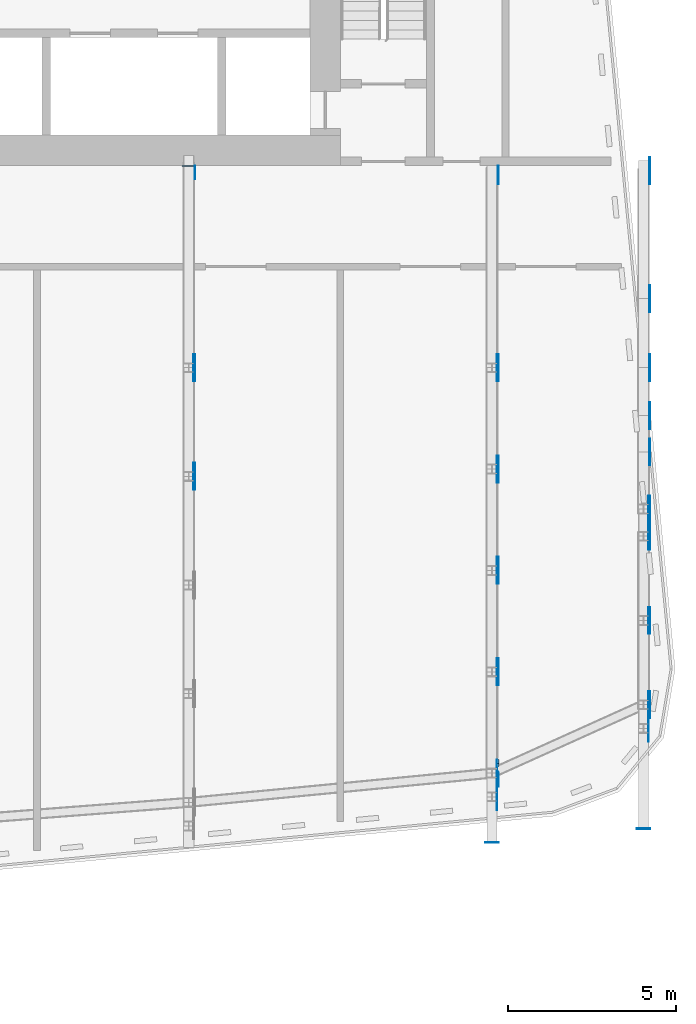
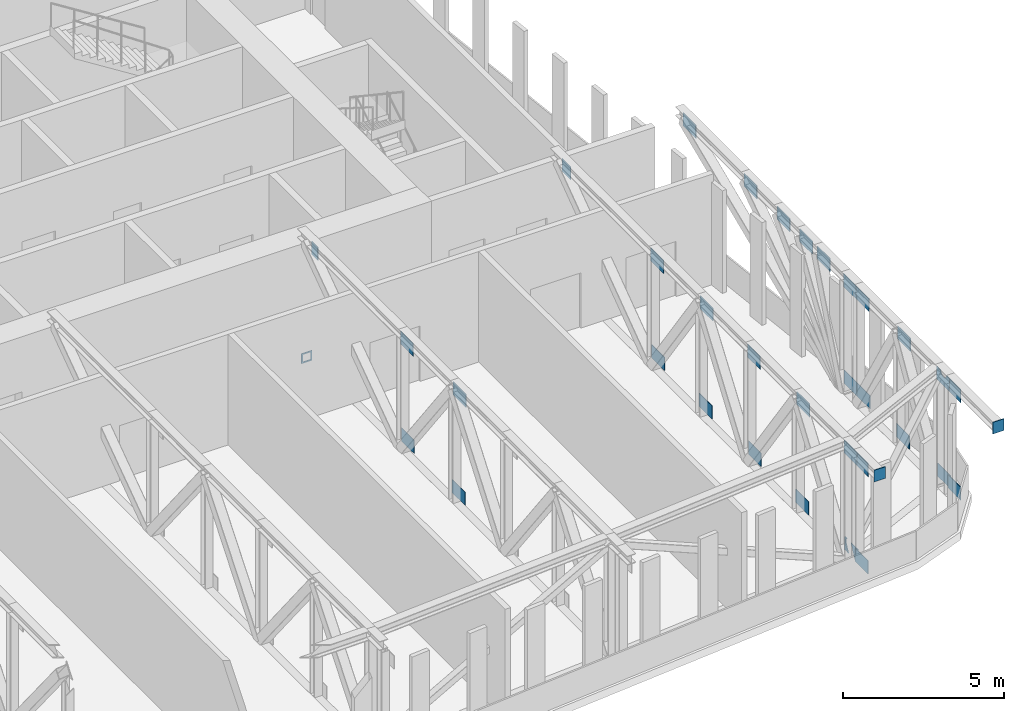
# One storey, part 20 of 26: 37 discrete accessories.
"""IFC4 building model written with IfcOpenShell, lengths in metres."""

from ifc_helpers import new_model, si_unit, direction, frame, origin, place, context, subcontext, project, spatial, polyline, outline, extrude, material, layer, layer_set, type_object, element, save


model = new_model("IFC4")

# Units and contexts
model_context = context("Model", 3, precision=1e-05, world=origin(), true_north=direction((0.0, 1.0)))
body_context = subcontext(model_context, "Body", "Model", "MODEL_VIEW")
ifc_project = project(units=[si_unit("LENGTHUNIT", "METRE"), si_unit("AREAUNIT", "SQUARE_METRE"), si_unit("VOLUMEUNIT", "CUBIC_METRE"), si_unit("PLANEANGLEUNIT", "RADIAN"), si_unit("MASSUNIT", "GRAM", prefix="KILO")], contexts=[model_context])

# Site, building, storey
site_placement = place(None, origin())
site = spatial("IfcSite", under=ifc_project, at=site_placement, CompositionType="ELEMENT")
building_placement = place(site_placement, origin())
building = spatial("IfcBuilding", under=site, at=building_placement, Name="Kajstack Hotel Tower", CompositionType="ELEMENT")
storey_placement = place(building_placement, frame((0.0, 0.0, 206.5)))
storey = spatial("IfcBuildingStorey", under=building, at=storey_placement, Name="L50", CompositionType="ELEMENT", Elevation=206.5)

# Discrete accessories
ifc_material = material(Name="Steel S355J2", Category="steel")
ifc_layer_1 = layer(ifc_material, 0.02490234375)
ifc_layer_set_1 = layer_set([ifc_layer_1], Name="CAST-IN PLATE")
discrete_accessory_type_1 = type_object("IfcDiscreteAccessoryType", Name="CAST-IN PLATE", PredefinedType="BRACKET", material=ifc_layer_set_1)
discrete_accessory_1_placement = place(storey_placement, frame((27.0, 1.47509765625, -0.139892578125), z_axis=(0.0, 1.0, 0.0), x_axis=(-1.0, 0.0, 0.0)))
element("IfcDiscreteAccessory", 1, at=discrete_accessory_1_placement, inside=storey, type_object=discrete_accessory_type_1, Name="Cast-in plate L50-020", PredefinedType="BRACKET", context=body_context, shape_type="SweptSolid", body=[
    extrude(outline(polyline([(-0.18994140625, -0.18994140625), (0.18994140625, -0.18994140625), (0.18994140625, 0.18994140625), (-0.18994140625, 0.18994140625), (-0.18994140625, -0.18994140625)]), holes=[polyline([(-0.139892578125, -0.139892578125), (-0.139892578125, 0.139892578125), (0.139892578125, 0.139892578125), (0.139892578125, -0.139892578125), (-0.139892578125, -0.139892578125)])]), origin(), (0.0, 0.0, 1.0), 0.02490234375),
])
ifc_layer_2 = layer(ifc_material, 0.02490234375)
ifc_layer_set_2 = layer_set([ifc_layer_2], Name="END PLATE")
discrete_accessory_type_2 = type_object("IfcDiscreteAccessoryType", Name="END PLATE", PredefinedType="BRACKET", material=ifc_layer_set_2)
discrete_accessory_2_placement = place(storey_placement, frame((36.0, -18.60205078125, 4.429931640625), z_axis=(0.0, 1.0, 0.0), x_axis=(-1.0, 0.0, 0.0)))
element("IfcDiscreteAccessory", 2, at=discrete_accessory_2_placement, inside=storey, type_object=discrete_accessory_type_2, Name="End plate L50-002", PredefinedType="BRACKET", context=body_context, shape_type="SweptSolid", body=[
    extrude(outline(polyline([(-0.199951171875, -0.219970703125), (0.199951171875, -0.219970703125), (0.199951171875, 0.219970703125), (-0.199951171875, 0.219970703125), (-0.199951171875, -0.219970703125)])), origin(), (0.0, 0.0, 1.0), 0.025146484375),
])
discrete_accessory_3_placement = place(storey_placement, frame((40.5, -18.1962890625, 4.429931640625), z_axis=(0.0, 1.0, 0.0), x_axis=(-1.0, 0.0, 0.0)))
element("IfcDiscreteAccessory", 3, at=discrete_accessory_3_placement, inside=storey, type_object=discrete_accessory_type_2, Name="End plate L50-003", PredefinedType="BRACKET", context=body_context, shape_type="SweptSolid", body=[
    extrude(outline(polyline([(-0.199951171875, -0.219970703125), (0.199951171875, -0.219970703125), (0.199951171875, 0.219970703125), (-0.199951171875, 0.219970703125), (-0.199951171875, -0.219970703125)])), origin(), (0.0, 0.0, 1.0), 0.02490234375),
])
ifc_layer_3 = layer(ifc_material, 0.02001953125)
ifc_layer_set_3 = layer_set([ifc_layer_3], Name="GUSSET PLATE")
discrete_accessory_type_3 = type_object("IfcDiscreteAccessoryType", Name="GUSSET PLATE", PredefinedType="BRACKET", material=ifc_layer_set_3)
for number, where, z_axis, x_axis, name in (
    (4, (27.139892578125, -7.72509765625, 0.0), (1.0, 0.0, 0.0), (0.0, 1.0, 0.0), "Gusset plate L50-595"),
    (5, (27.175048828125, -7.72509765625, 3.699951171875), (1.0, 0.0, 0.0), (0.0, 1.0, 0.0), "Gusset plate L50-596"),
    (6, (27.175048828125, -4.5, 0.0), (1.0, 0.0, 0.0), (0.0, 1.0, 0.0), "Gusset plate L50-597"),
    (7, (27.139892578125, -4.5, 3.699951171875), (1.0, 0.0, 0.0), (0.0, 1.0, 0.0), "Gusset plate L50-598"),
):
    element("IfcDiscreteAccessory", number, at=place(storey_placement, frame(where, z_axis=z_axis, x_axis=x_axis)), inside=storey, type_object=discrete_accessory_type_3, Name=name, PredefinedType="BRACKET", context=body_context, shape_type="SweptSolid", body=[
        extrude(outline(polyline([(-0.39990234375, 0.0), (0.39990234375, 0.0), (0.39990234375, 0.5), (-0.39990234375, 0.5), (-0.39990234375, 0.0)])), origin(), (0.0, 0.0, 1.0), 0.02001953125),
    ])
discrete_accessory_4_placement = place(storey_placement, frame((27.175048828125, 1.5, 3.699951171875), z_axis=(1.0, 0.0, 0.0), x_axis=(0.0, 1.0, 0.0)))
element("IfcDiscreteAccessory", 8, at=discrete_accessory_4_placement, inside=storey, type_object=discrete_accessory_type_3, Name="Gusset plate L50-599", PredefinedType="BRACKET", context=body_context, shape_type="SweptSolid", body=[
    extrude(outline(polyline([(-0.39990234375, 0.0), (-0.0048828125, 0.0), (-0.0048828125, 0.5), (-0.39990234375, 0.5), (-0.39990234375, 0.0)])), origin(), (0.0, 0.0, 1.0), 0.02001953125),
])
for number, where, z_axis, x_axis, name in (
    (9, (36.139892578125, -17.234130859375, 0.0), (1.0, 0.0, 0.0), (0.0, 1.0, 0.0), "Gusset plate L50-600"),
    (10, (36.139892578125, -17.234130859375, 3.699951171875), (1.0, 0.0, 0.0), (0.0, 1.0, 0.0), "Gusset plate L50-601"),
):
    element("IfcDiscreteAccessory", number, at=place(storey_placement, frame(where, z_axis=z_axis, x_axis=x_axis)), inside=storey, type_object=discrete_accessory_type_3, Name=name, PredefinedType="BRACKET", context=body_context, shape_type="SweptSolid", body=[
        extrude(outline(polyline([(-0.39990234375, 0.0), (0.39990234375, 0.0), (0.39990234375, 0.5), (-0.39990234375, 0.5), (-0.39990234375, 0.0)])), origin(), (0.0, 0.0, 1.0), 0.02001953125),
    ])
discrete_accessory_5_placement = place(storey_placement, frame((36.175048828125, -16.5341796875, 0.0), z_axis=(1.0, 0.0, 0.0), x_axis=(0.0, 1.0, 0.0)))
element("IfcDiscreteAccessory", 11, at=discrete_accessory_5_placement, inside=storey, type_object=discrete_accessory_type_3, Name="Gusset plate L50-602", PredefinedType="BRACKET", context=body_context, shape_type="SweptSolid", body=[
    extrude(outline(polyline([(0.39990234375, 0.5), (0.298583984375, 0.5), (0.322998046875, 0.472900390625), (0.333251953125, 0.45751953125), (0.348876953125, 0.424560546875), (0.35400390625, 0.406982421875), (0.359375, 0.37060546875), (0.357421875, 0.333984375), (0.353759765625, 0.316162109375), (0.34130859375, 0.28173828125), (0.20703125, 0.0), (0.39990234375, 0.0), (0.39990234375, 0.5)])), origin(), (0.0, 0.0, 1.0), 0.02001953125),
])
discrete_accessory_6_placement = place(storey_placement, frame((36.175048828125, -16.5341796875, 0.0), z_axis=(1.0, 0.0, 0.0), x_axis=(0.0, 1.0, 0.0)))
element("IfcDiscreteAccessory", 12, at=discrete_accessory_6_placement, inside=storey, type_object=discrete_accessory_type_3, Name="Gusset plate L50-603", PredefinedType="BRACKET", context=body_context, shape_type="SweptSolid", body=[
    extrude(outline(polyline([(-0.39990234375, 0.0), (-0.19189453125, 0.0), (-0.1904296875, 0.01611328125), (-0.18017578125, 0.059326171875), (-0.166259765625, 0.09326171875), (-0.151123046875, 0.11669921875), (0.004150390625, 0.4423828125), (0.02294921875, 0.473876953125), (0.046875, 0.5), (-0.39990234375, 0.5), (-0.39990234375, 0.0)])), origin(), (0.0, 0.0, 1.0), 0.02001953125),
])
for number, where, z_axis, x_axis, name in (
    (13, (36.139892578125, -16.5341796875, 3.699951171875), (1.0, 0.0, 0.0), (0.0, 1.0, 0.0), "Gusset plate L50-604"),
    (14, (36.139892578125, -13.525634765625, 0.0), (1.0, 0.0, 0.0), (0.0, 1.0, 0.0), "Gusset plate L50-605"),
    (15, (36.175048828125, -13.525634765625, 3.699951171875), (1.0, 0.0, 0.0), (0.0, 1.0, 0.0), "Gusset plate L50-606"),
    (16, (36.175048828125, -10.51708984375, 0.0), (1.0, 0.0, 0.0), (0.0, 1.0, 0.0), "Gusset plate L50-607"),
    (17, (36.139892578125, -10.51708984375, 3.699951171875), (1.0, 0.0, 0.0), (0.0, 1.0, 0.0), "Gusset plate L50-608"),
    (18, (36.139892578125, -7.508544921875, 0.0), (1.0, 0.0, 0.0), (0.0, 1.0, 0.0), "Gusset plate L50-609"),
    (19, (36.175048828125, -7.508544921875, 3.699951171875), (1.0, 0.0, 0.0), (0.0, 1.0, 0.0), "Gusset plate L50-610"),
    (20, (36.175048828125, -4.5, 0.0), (1.0, 0.0, 0.0), (0.0, 1.0, 0.0), "Gusset plate L50-611"),
    (21, (36.139892578125, -4.5, 3.699951171875), (1.0, 0.0, 0.0), (0.0, 1.0, 0.0), "Gusset plate L50-612"),
):
    element("IfcDiscreteAccessory", number, at=place(storey_placement, frame(where, z_axis=z_axis, x_axis=x_axis)), inside=storey, type_object=discrete_accessory_type_3, Name=name, PredefinedType="BRACKET", context=body_context, shape_type="SweptSolid", body=[
        extrude(outline(polyline([(-0.39990234375, 0.0), (0.39990234375, 0.0), (0.39990234375, 0.5), (-0.39990234375, 0.5), (-0.39990234375, 0.0)])), origin(), (0.0, 0.0, 1.0), 0.02001953125),
    ])
discrete_accessory_7_placement = place(storey_placement, frame((36.175048828125, 1.35009765625, 3.699951171875), z_axis=(1.0, 0.0, 0.0), x_axis=(0.0, 1.0, 0.0)))
element("IfcDiscreteAccessory", 22, at=discrete_accessory_7_placement, inside=storey, type_object=discrete_accessory_type_3, Name="Gusset plate L50-613", PredefinedType="BRACKET", context=body_context, shape_type="SweptSolid", body=[
    extrude(outline(polyline([(-0.39990234375, 0.0), (0.14501953125, 0.0), (0.14501953125, 0.5), (-0.39990234375, 0.5), (-0.39990234375, 0.0)])), origin(), (0.0, 0.0, 1.0), 0.02001953125),
])
for number, where, z_axis, x_axis, name in (
    (23, (40.639892578125, -15.20263671875, 0.0), (1.0, 0.0, 0.0), (0.0, 1.0, 0.0), "Gusset plate L50-614"),
    (24, (40.639892578125, -15.20263671875, 3.699951171875), (1.0, 0.0, 0.0), (0.0, 1.0, 0.0), "Gusset plate L50-615"),
    (25, (40.675048828125, -14.502685546875, 0.0), (1.0, 0.0, 0.0), (0.0, 1.0, 0.0), "Gusset plate L50-616"),
):
    element("IfcDiscreteAccessory", number, at=place(storey_placement, frame(where, z_axis=z_axis, x_axis=x_axis)), inside=storey, type_object=discrete_accessory_type_3, Name=name, PredefinedType="BRACKET", context=body_context, shape_type="SweptSolid", body=[
        extrude(outline(polyline([(-0.39990234375, 0.0), (0.39990234375, 0.0), (0.39990234375, 0.5), (-0.39990234375, 0.5), (-0.39990234375, 0.0)])), origin(), (0.0, 0.0, 1.0), 0.02001953125),
    ])
discrete_accessory_8_placement = place(storey_placement, frame((40.639892578125, -14.502685546875, 3.699951171875), z_axis=(1.0, 0.0, 0.0), x_axis=(0.0, 1.0, 0.0)))
element("IfcDiscreteAccessory", 26, at=discrete_accessory_8_placement, inside=storey, type_object=discrete_accessory_type_3, Name="Gusset plate L50-617", PredefinedType="BRACKET", context=body_context, shape_type="SweptSolid", body=[
    extrude(outline(polyline([(0.39990234375, 0.5), (0.17822265625, 0.5), (0.138427734375, 0.41845703125), (0.128173828125, 0.4033203125), (0.103515625, 0.376220703125), (0.073974609375, 0.3544921875), (0.041015625, 0.3388671875), (0.00537109375, 0.330078125), (-0.012939453125, 0.328369140625), (-0.049560546875, 0.330322265625), (-0.0849609375, 0.33935546875), (-0.117919921875, 0.355224609375), (-0.147216796875, 0.376953125), (-0.171875, 0.404296875), (-0.190673828125, 0.435791015625), (-0.202880859375, 0.47021484375), (-0.20751953125, 0.5), (-0.39990234375, 0.5), (-0.39990234375, 0.0), (0.39990234375, 0.0), (0.39990234375, 0.5)])), origin(), (0.0, 0.0, 1.0), 0.02001953125),
])
for number, where, z_axis, x_axis, name in (
    (27, (40.639892578125, -12.001953125, 0.0), (1.0, 0.0, 0.0), (0.0, 1.0, 0.0), "Gusset plate L50-618"),
    (28, (40.675048828125, -12.001953125, 3.699951171875), (1.0, 0.0, 0.0), (0.0, 1.0, 0.0), "Gusset plate L50-619"),
    (29, (40.675048828125, -9.501220703125, 0.0), (1.0, 0.0, 0.0), (0.0, 1.0, 0.0), "Gusset plate L50-620"),
    (30, (40.639892578125, -9.501220703125, 3.699951171875), (1.0, 0.0, 0.0), (0.0, 1.0, 0.0), "Gusset plate L50-621"),
    (31, (40.675048828125, -8.6943359375, 0.0), (1.0, 0.0, 0.0), (0.0, 1.0, 0.0), "Gusset plate L50-622"),
    (32, (40.639892578125, -8.6943359375, 3.699951171875), (1.0, 0.0, 0.0), (0.0, 1.0, 0.0), "Gusset plate L50-623"),
    (33, (40.675048828125, -7.000732421875, 3.699951171875), (1.0, 0.0, 0.0), (0.0, 1.0, 0.0), "Gusset plate L50-624"),
    (34, (40.675048828125, -5.9208984375, 3.699951171875), (1.0, 0.0, 0.0), (0.0, 1.0, 0.0), "Gusset plate L50-625"),
    (35, (40.675048828125, -4.5, 3.699951171875), (1.0, 0.0, 0.0), (0.0, 1.0, 0.0), "Gusset plate L50-626"),
    (36, (40.675048828125, -2.447265625, 3.699951171875), (1.0, 0.0, 0.0), (0.0, 1.0, 0.0), "Gusset plate L50-627"),
    (37, (40.675048828125, 1.35009765625, 3.699951171875), (1.0, 0.0, 0.0), (0.0, 1.0, 0.0), "Gusset plate L50-628"),
):
    element("IfcDiscreteAccessory", number, at=place(storey_placement, frame(where, z_axis=z_axis, x_axis=x_axis)), inside=storey, type_object=discrete_accessory_type_3, Name=name, PredefinedType="BRACKET", context=body_context, shape_type="SweptSolid", body=[
        extrude(outline(polyline([(-0.39990234375, 0.0), (0.39990234375, 0.0), (0.39990234375, 0.5), (-0.39990234375, 0.5), (-0.39990234375, 0.0)])), origin(), (0.0, 0.0, 1.0), 0.02001953125),
    ])

save(model, "model.ifc")
